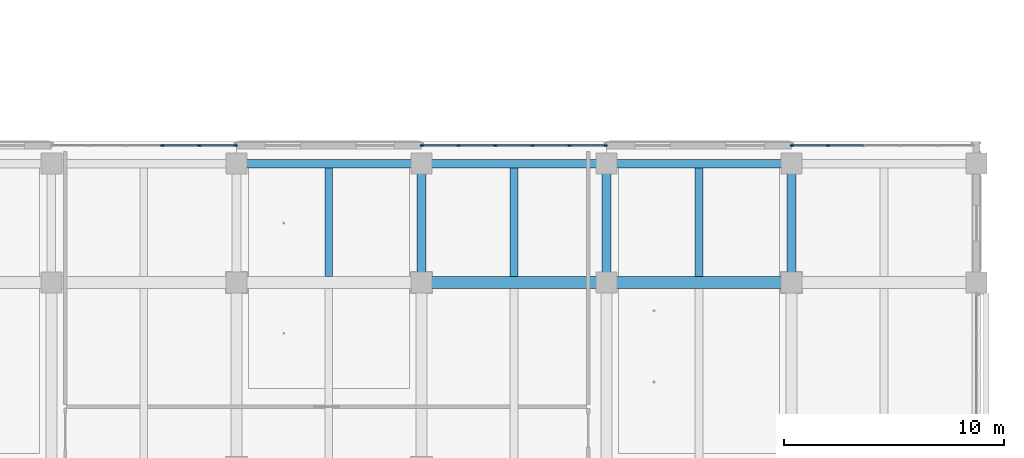
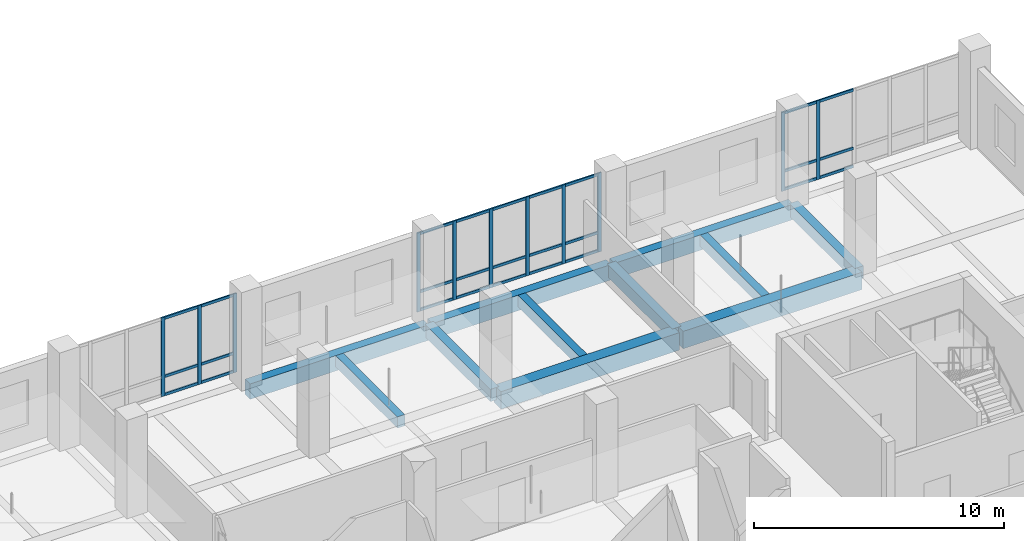
# One storey, part 26 of 128: 38 members, 11 beams, 3 elements without a shape of their own.
"""IFC4 building model written with IfcOpenShell, lengths in metres."""

from ifc_helpers import new_model, si_unit, direction, frame, origin, origin_2d, place, context, subcontext, project, spatial, rectangle, extrude, material, layer, layer_set, material_profile, profile_set, type_object, element, aggregate, save


model = new_model("IFC4")

# Units and contexts
model_context = context("Model", 3, precision=1e-05, world=origin(), true_north=direction((0.0, 1.0)))
body_context = subcontext(model_context, "Body", "Model", "MODEL_VIEW")
ifc_project = project(units=[si_unit("LENGTHUNIT", "METRE"), si_unit("AREAUNIT", "SQUARE_METRE"), si_unit("VOLUMEUNIT", "CUBIC_METRE"), si_unit("PLANEANGLEUNIT", "RADIAN"), si_unit("MASSUNIT", "GRAM", prefix="KILO")], contexts=[model_context])

# Site, building, storey
site_placement = place(None, origin())
site = spatial("IfcSite", under=ifc_project, at=site_placement, CompositionType="ELEMENT")
building_placement = place(site_placement, origin())
building = spatial("IfcBuilding", under=site, at=building_placement, Name="Telukmera Botanical Conservatory", CompositionType="ELEMENT")
storey_placement = place(building_placement, frame((0.0, 0.0, 5.39990234375)))
storey = spatial("IfcBuildingStorey", under=building, at=storey_placement, Name="L01", CompositionType="ELEMENT", Elevation=5.39990234375)

# Beams
ifc_material_1 = material(Name="Concrete C40/50", Category="concrete")
ifc_material_profile_1 = material_profile(ifc_material_1, rectangle(XDim=0.39990234375, YDim=0.60009765625, at=origin_2d()), Name="RC 400x600")
ifc_profile_set_1 = profile_set([ifc_material_profile_1], Name="Concrete C40/50")
beam_type_1 = type_object("IfcBeamType", Name="Beam_B18", PredefinedType="BEAM", material=ifc_profile_set_1)
for number, where, z_axis, x_axis, name in (
    (1, (84.0, 42.8798828125, -0.2998046875), (0.0, 1.0, 0.0), (-1.0, 0.0, 0.0), "Tower Transverse Beam L01"),
    (2, (92.39990234375, 42.8798828125, -0.2998046875), (0.0, 1.0, 0.0), (-1.0, 0.0, 0.0), "Tower Transverse Beam L01"),
    (3, (100.800048828125, 42.8798828125, -0.2998046875), (0.0, 1.0, 0.0), (-1.0, 0.0, 0.0), "Tower Transverse Beam L01"),
):
    element("IfcBeam", number, at=place(storey_placement, frame(where, z_axis=z_axis, x_axis=x_axis)), inside=storey, type_object=beam_type_1, Name=name, PredefinedType="BEAM", context=body_context, shape_type="SweptSolid", body=[
        extrude(rectangle(XDim=0.39990234375, YDim=0.60009765625, at=origin_2d()), origin(), (0.0, 0.0, 1.0), 5.240234375),
    ])
ifc_material_profile_2 = material_profile(ifc_material_1, rectangle(XDim=0.35009765625, YDim=0.550048828125, at=origin_2d()), Name="RC 350x550")
ifc_profile_set_2 = profile_set([ifc_material_profile_2], Name="Concrete C40/50")
beam_type_2 = type_object("IfcBeamType", Name="Beam_B21", PredefinedType="JOIST", material=ifc_profile_set_2)
for number, where, z_axis, x_axis, name in (
    (4, (79.800048828125, 43.074951171875, -0.27490234375), (0.0, 1.0, 0.0), (-1.0, 0.0, 0.0), "Tower Secondary Floor Joist L01"),
    (5, (88.199951171875, 43.074951171875, -0.27490234375), (0.0, 1.0, 0.0), (-1.0, 0.0, 0.0), "Tower Secondary Floor Joist L01"),
    (6, (96.60009765625, 43.074951171875, -0.27490234375), (0.0, 1.0, 0.0), (-1.0, 0.0, 0.0), "Tower Secondary Floor Joist L01"),
):
    element("IfcBeam", number, at=place(storey_placement, frame(where, z_axis=z_axis, x_axis=x_axis)), inside=storey, type_object=beam_type_2, Name=name, PredefinedType="JOIST", context=body_context, shape_type="SweptSolid", body=[
        extrude(rectangle(XDim=0.35009765625, YDim=0.550048828125, at=origin_2d()), origin(), (0.0, 0.0, 1.0), 4.925048828125),
    ])
ifc_material_profile_3 = material_profile(ifc_material_1, rectangle(XDim=0.550048828125, YDim=0.85009765625, at=origin_2d()), Name="RC 550x850")
ifc_profile_set_3 = profile_set([ifc_material_profile_3], Name="Concrete C40/50")
beam_type_3 = type_object("IfcBeamType", Name="Beam_B4", PredefinedType="BEAM", material=ifc_profile_set_3)
for number, where, z_axis, x_axis, name in (
    (7, (84.080078125, 42.800048828125, -0.4248046875), (1.0, 0.0, 0.0), (0.0, 1.0, 0.0), "Tower Grid Beam L01"),
    (8, (92.47998046875, 42.800048828125, -0.4248046875), (1.0, 0.0, 0.0), (0.0, 1.0, 0.0), "Tower Grid Beam L01"),
):
    element("IfcBeam", number, at=place(storey_placement, frame(where, z_axis=z_axis, x_axis=x_axis)), inside=storey, type_object=beam_type_3, Name=name, PredefinedType="BEAM", context=body_context, shape_type="SweptSolid", body=[
        extrude(rectangle(XDim=0.550048828125, YDim=0.85009765625, at=origin_2d()), origin(), (0.0, 0.0, 1.0), 8.239990234375),
    ])
ifc_material_2 = material(Name="Precast concrete C40/50", Category="concrete")
ifc_material_profile_4 = material_profile(ifc_material_2, rectangle(XDim=0.39990234375, YDim=0.75, at=origin_2d()), Name="PC 400x750")
ifc_profile_set_4 = profile_set([ifc_material_profile_4], Name="Precast concrete C40/50")
beam_type_4 = type_object("IfcBeamType", Name="Beam_SP1", PredefinedType="SPANDREL", material=ifc_profile_set_4)
for number, where, z_axis, x_axis, name in (
    (9, (75.679931640625, 48.199951171875, -0.375), (1.0, 0.0, 0.0), (0.0, 1.0, 0.0), "Tower Grid Beam L01"),
    (10, (84.080078125, 48.199951171875, -0.375), (1.0, 0.0, 0.0), (0.0, 1.0, 0.0), "Tower Grid Beam L01"),
    (11, (92.47998046875, 48.199951171875, -0.375), (1.0, 0.0, 0.0), (0.0, 1.0, 0.0), "Tower Grid Beam L01"),
):
    element("IfcBeam", number, at=place(storey_placement, frame(where, z_axis=z_axis, x_axis=x_axis)), inside=storey, type_object=beam_type_4, Name=name, PredefinedType="SPANDREL", context=body_context, shape_type="SweptSolid", body=[
        extrude(rectangle(XDim=0.39990234375, YDim=0.75, at=origin_2d()), origin(), (0.0, 0.0, 1.0), 8.239990234375),
    ])

# Curtain wall, members
ifc_material_3 = material(Name="Anodised aluminium 6063-T6", Category="aluminium")
ifc_layer = layer(ifc_material_3, 0.179931640625)
ifc_layer_set = layer_set([ifc_layer], Name="Anodised aluminium 6063-T6")
curtain_wall_type = type_object("IfcCurtainWallType", Name="Tower Reference Library Curtain Wall", PredefinedType="USERDEFINED", material=ifc_layer_set)
curtain_wall_1_placement = place(storey_placement, origin())
curtain_wall_1 = element("IfcCurtainWall", 12, at=curtain_wall_1_placement, inside=storey, type_object=curtain_wall_type, Name="Unitised Curtain Wall CW13 V4:L01:N3", ObjectType="UNITISED CURTAIN WALL", PredefinedType="USERDEFINED")
ifc_material_profile_5 = material_profile(ifc_material_3, rectangle(XDim=0.06494140625, YDim=0.159912109375, at=origin_2d()), Name="ALU MULL 65x160")
ifc_profile_set_5 = profile_set([ifc_material_profile_5], Name="Anodised aluminium 6063-T6")
member_type_1 = type_object("IfcMemberType", Name="Curtain Wall Extruded Mullion 65x160", PredefinedType="MULLION", material=ifc_profile_set_5)
member_1_placement = place(storey_placement, frame((72.239501953125, 49.02001953125, 0.0), z_axis=(0.0, 0.0, 1.0), x_axis=(0.0, 1.0, 0.0)))
member_1 = element("IfcMember", 13, at=member_1_placement, type_object=member_type_1, Name="CW13 mullion 4", PredefinedType="MULLION", context=body_context, shape_type="SweptSolid", body=[
    extrude(rectangle(XDim=0.06494140625, YDim=0.159912109375, at=origin_2d()), origin(), (0.0, 0.0, 1.0), 3.85009765625),
])
member_2_placement = place(storey_placement, frame((73.918701171875, 49.02001953125, 0.0), z_axis=(0.0, 0.0, 1.0), x_axis=(0.0, 1.0, 0.0)))
member_2 = element("IfcMember", 14, at=member_2_placement, type_object=member_type_1, Name="CW13 mullion 5", PredefinedType="MULLION", context=body_context, shape_type="SweptSolid", body=[
    extrude(rectangle(XDim=0.06494140625, YDim=0.159912109375, at=origin_2d()), origin(), (0.0, 0.0, 1.0), 3.85009765625),
])
member_3_placement = place(storey_placement, frame((75.5654296875, 49.02001953125, 0.0), z_axis=(0.0, 0.0, 1.0), x_axis=(0.0, 1.0, 0.0)))
member_3 = element("IfcMember", 15, at=member_3_placement, type_object=member_type_1, Name="CW13 mullion 6", PredefinedType="MULLION", context=body_context, shape_type="SweptSolid", body=[
    extrude(rectangle(XDim=0.06494140625, YDim=0.159912109375, at=origin_2d()), origin(), (0.0, 0.0, 1.0), 3.85009765625),
])

curtain_wall_2_placement = place(storey_placement, origin())
curtain_wall_2 = element("IfcCurtainWall", 16, at=curtain_wall_2_placement, inside=storey, type_object=curtain_wall_type, Name="Unitised Curtain Wall CW13 V4:L01:N5", ObjectType="UNITISED CURTAIN WALL", PredefinedType="USERDEFINED")
member_4_placement = place(storey_placement, frame((84.034423828125, 49.02001953125, 0.0), z_axis=(0.0, 0.0, 1.0), x_axis=(0.0, 1.0, 0.0)))
member_4 = element("IfcMember", 17, at=member_4_placement, type_object=member_type_1, Name="CW13 mullion 1", PredefinedType="MULLION", context=body_context, shape_type="SweptSolid", body=[
    extrude(rectangle(XDim=0.06494140625, YDim=0.159912109375, at=origin_2d()), origin(), (0.0, 0.0, 1.0), 3.85009765625),
])
member_5_placement = place(storey_placement, frame((85.68115234375, 49.02001953125, 0.0), z_axis=(0.0, 0.0, 1.0), x_axis=(0.0, 1.0, 0.0)))
member_5 = element("IfcMember", 18, at=member_5_placement, type_object=member_type_1, Name="CW13 mullion 2", PredefinedType="MULLION", context=body_context, shape_type="SweptSolid", body=[
    extrude(rectangle(XDim=0.06494140625, YDim=0.159912109375, at=origin_2d()), origin(), (0.0, 0.0, 1.0), 3.85009765625),
])
member_6_placement = place(storey_placement, frame((87.3603515625, 49.02001953125, 0.0), z_axis=(0.0, 0.0, 1.0), x_axis=(0.0, 1.0, 0.0)))
member_6 = element("IfcMember", 19, at=member_6_placement, type_object=member_type_1, Name="CW13 mullion 3", PredefinedType="MULLION", context=body_context, shape_type="SweptSolid", body=[
    extrude(rectangle(XDim=0.06494140625, YDim=0.159912109375, at=origin_2d()), origin(), (0.0, 0.0, 1.0), 3.85009765625),
])
member_7_placement = place(storey_placement, frame((89.03955078125, 49.02001953125, 0.0), z_axis=(0.0, 0.0, 1.0), x_axis=(0.0, 1.0, 0.0)))
member_7 = element("IfcMember", 20, at=member_7_placement, type_object=member_type_1, Name="CW13 mullion 4", PredefinedType="MULLION", context=body_context, shape_type="SweptSolid", body=[
    extrude(rectangle(XDim=0.06494140625, YDim=0.159912109375, at=origin_2d()), origin(), (0.0, 0.0, 1.0), 3.85009765625),
])
member_8_placement = place(storey_placement, frame((90.71875, 49.02001953125, 0.0), z_axis=(0.0, 0.0, 1.0), x_axis=(0.0, 1.0, 0.0)))
member_8 = element("IfcMember", 21, at=member_8_placement, type_object=member_type_1, Name="CW13 mullion 5", PredefinedType="MULLION", context=body_context, shape_type="SweptSolid", body=[
    extrude(rectangle(XDim=0.06494140625, YDim=0.159912109375, at=origin_2d()), origin(), (0.0, 0.0, 1.0), 3.85009765625),
])
member_9_placement = place(storey_placement, frame((92.365478515625, 49.02001953125, 0.0), z_axis=(0.0, 0.0, 1.0), x_axis=(0.0, 1.0, 0.0)))
member_9 = element("IfcMember", 22, at=member_9_placement, type_object=member_type_1, Name="CW13 mullion 6", PredefinedType="MULLION", context=body_context, shape_type="SweptSolid", body=[
    extrude(rectangle(XDim=0.06494140625, YDim=0.159912109375, at=origin_2d()), origin(), (0.0, 0.0, 1.0), 3.85009765625),
])

curtain_wall_3_placement = place(storey_placement, origin())
curtain_wall_3 = element("IfcCurtainWall", 23, at=curtain_wall_3_placement, inside=storey, type_object=curtain_wall_type, Name="Unitised Curtain Wall CW13 V4:L01:N7", ObjectType="UNITISED CURTAIN WALL", PredefinedType="USERDEFINED")
member_10_placement = place(storey_placement, frame((100.83447265625, 49.02001953125, 0.0), z_axis=(0.0, 0.0, 1.0), x_axis=(0.0, 1.0, 0.0)))
member_10 = element("IfcMember", 24, at=member_10_placement, type_object=member_type_1, Name="CW13 mullion 1", PredefinedType="MULLION", context=body_context, shape_type="SweptSolid", body=[
    extrude(rectangle(XDim=0.06494140625, YDim=0.159912109375, at=origin_2d()), origin(), (0.0, 0.0, 1.0), 3.85009765625),
])
member_11_placement = place(storey_placement, frame((102.451171875, 49.02001953125, 0.0), z_axis=(0.0, 0.0, 1.0), x_axis=(0.0, 1.0, 0.0)))
member_11 = element("IfcMember", 25, at=member_11_placement, type_object=member_type_1, Name="CW13 mullion 2", PredefinedType="MULLION", context=body_context, shape_type="SweptSolid", body=[
    extrude(rectangle(XDim=0.06494140625, YDim=0.159912109375, at=origin_2d()), origin(), (0.0, 0.0, 1.0), 3.85009765625),
])

# Member
ifc_material_profile_6 = material_profile(ifc_material_3, rectangle(XDim=0.06494140625, YDim=0.1298828125, at=origin_2d()), Name="ALU TRAN 65x130")
ifc_profile_set_6 = profile_set([ifc_material_profile_6], Name="Anodised aluminium 6063-T6")
member_type_2 = type_object("IfcMemberType", Name="Curtain Wall Extruded Transom 65x130", PredefinedType="USERDEFINED", material=ifc_profile_set_6)
member_12_placement = place(storey_placement, frame((72.272216796875, 49.02001953125, 0.065185546875), z_axis=(1.0, 0.0, 0.0), x_axis=(0.0, 1.0, 0.0)))
member_12 = element("IfcMember", 26, at=member_12_placement, type_object=member_type_2, Name="CW13 transom 4.1", ObjectType="TRANSOM", PredefinedType="USERDEFINED", context=body_context, shape_type="SweptSolid", body=[
    extrude(rectangle(XDim=0.06494140625, YDim=0.1298828125, at=origin_2d()), origin(), (0.0, 0.0, 1.0), 1.614013671875),
])

member_13_placement = place(storey_placement, frame((72.272216796875, 49.02001953125, 0.9501953125), z_axis=(1.0, 0.0, 0.0), x_axis=(0.0, 1.0, 0.0)))
member_13 = element("IfcMember", 27, at=member_13_placement, type_object=member_type_2, Name="CW13 transom 4.2", ObjectType="TRANSOM", PredefinedType="USERDEFINED", context=body_context, shape_type="SweptSolid", body=[
    extrude(rectangle(XDim=0.06494140625, YDim=0.1298828125, at=origin_2d()), origin(), (0.0, 0.0, 1.0), 1.614013671875),
])

member_14_placement = place(storey_placement, frame((72.272216796875, 49.02001953125, 3.78515625), z_axis=(1.0, 0.0, 0.0), x_axis=(0.0, 1.0, 0.0)))
member_14 = element("IfcMember", 28, at=member_14_placement, type_object=member_type_2, Name="CW13 transom 4.3", ObjectType="TRANSOM", PredefinedType="USERDEFINED", context=body_context, shape_type="SweptSolid", body=[
    extrude(rectangle(XDim=0.06494140625, YDim=0.1298828125, at=origin_2d()), origin(), (0.0, 0.0, 1.0), 1.614013671875),
])

member_15_placement = place(storey_placement, frame((73.951416015625, 49.02001953125, 0.065185546875), z_axis=(1.0, 0.0, 0.0), x_axis=(0.0, 1.0, 0.0)))
member_15 = element("IfcMember", 29, at=member_15_placement, type_object=member_type_2, Name="CW13 transom 5.1", ObjectType="TRANSOM", PredefinedType="USERDEFINED", context=body_context, shape_type="SweptSolid", body=[
    extrude(rectangle(XDim=0.06494140625, YDim=0.1298828125, at=origin_2d()), origin(), (0.0, 0.0, 1.0), 1.58154296875),
])

member_16_placement = place(storey_placement, frame((73.951416015625, 49.02001953125, 0.9501953125), z_axis=(1.0, 0.0, 0.0), x_axis=(0.0, 1.0, 0.0)))
member_16 = element("IfcMember", 30, at=member_16_placement, type_object=member_type_2, Name="CW13 transom 5.2", ObjectType="TRANSOM", PredefinedType="USERDEFINED", context=body_context, shape_type="SweptSolid", body=[
    extrude(rectangle(XDim=0.06494140625, YDim=0.1298828125, at=origin_2d()), origin(), (0.0, 0.0, 1.0), 1.58154296875),
])

member_17_placement = place(storey_placement, frame((73.951416015625, 49.02001953125, 3.78515625), z_axis=(1.0, 0.0, 0.0), x_axis=(0.0, 1.0, 0.0)))
member_17 = element("IfcMember", 31, at=member_17_placement, type_object=member_type_2, Name="CW13 transom 5.3", ObjectType="TRANSOM", PredefinedType="USERDEFINED", context=body_context, shape_type="SweptSolid", body=[
    extrude(rectangle(XDim=0.06494140625, YDim=0.1298828125, at=origin_2d()), origin(), (0.0, 0.0, 1.0), 1.58154296875),
])

aggregate(curtain_wall_1, [member_1, member_2, member_3, member_12, member_13, member_14, member_15, member_16, member_17])

member_18_placement = place(storey_placement, frame((84.06689453125, 49.02001953125, 0.065185546875), z_axis=(1.0, 0.0, 0.0), x_axis=(0.0, 1.0, 0.0)))
member_18 = element("IfcMember", 32, at=member_18_placement, type_object=member_type_2, Name="CW13 transom 1.1", ObjectType="TRANSOM", PredefinedType="USERDEFINED", context=body_context, shape_type="SweptSolid", body=[
    extrude(rectangle(XDim=0.06494140625, YDim=0.1298828125, at=origin_2d()), origin(), (0.0, 0.0, 1.0), 1.581787109375),
])

member_19_placement = place(storey_placement, frame((84.06689453125, 49.02001953125, 0.9501953125), z_axis=(1.0, 0.0, 0.0), x_axis=(0.0, 1.0, 0.0)))
member_19 = element("IfcMember", 33, at=member_19_placement, type_object=member_type_2, Name="CW13 transom 1.2", ObjectType="TRANSOM", PredefinedType="USERDEFINED", context=body_context, shape_type="SweptSolid", body=[
    extrude(rectangle(XDim=0.06494140625, YDim=0.1298828125, at=origin_2d()), origin(), (0.0, 0.0, 1.0), 1.581787109375),
])

member_20_placement = place(storey_placement, frame((84.06689453125, 49.02001953125, 3.78515625), z_axis=(1.0, 0.0, 0.0), x_axis=(0.0, 1.0, 0.0)))
member_20 = element("IfcMember", 34, at=member_20_placement, type_object=member_type_2, Name="CW13 transom 1.3", ObjectType="TRANSOM", PredefinedType="USERDEFINED", context=body_context, shape_type="SweptSolid", body=[
    extrude(rectangle(XDim=0.06494140625, YDim=0.1298828125, at=origin_2d()), origin(), (0.0, 0.0, 1.0), 1.581787109375),
])

member_21_placement = place(storey_placement, frame((85.713623046875, 49.02001953125, 0.065185546875), z_axis=(1.0, 0.0, 0.0), x_axis=(0.0, 1.0, 0.0)))
member_21 = element("IfcMember", 35, at=member_21_placement, type_object=member_type_2, Name="CW13 transom 2.1", ObjectType="TRANSOM", PredefinedType="USERDEFINED", context=body_context, shape_type="SweptSolid", body=[
    extrude(rectangle(XDim=0.06494140625, YDim=0.1298828125, at=origin_2d()), origin(), (0.0, 0.0, 1.0), 1.6142578125),
])

member_22_placement = place(storey_placement, frame((85.713623046875, 49.02001953125, 0.9501953125), z_axis=(1.0, 0.0, 0.0), x_axis=(0.0, 1.0, 0.0)))
member_22 = element("IfcMember", 36, at=member_22_placement, type_object=member_type_2, Name="CW13 transom 2.2", ObjectType="TRANSOM", PredefinedType="USERDEFINED", context=body_context, shape_type="SweptSolid", body=[
    extrude(rectangle(XDim=0.06494140625, YDim=0.1298828125, at=origin_2d()), origin(), (0.0, 0.0, 1.0), 1.6142578125),
])

member_23_placement = place(storey_placement, frame((85.713623046875, 49.02001953125, 3.78515625), z_axis=(1.0, 0.0, 0.0), x_axis=(0.0, 1.0, 0.0)))
member_23 = element("IfcMember", 37, at=member_23_placement, type_object=member_type_2, Name="CW13 transom 2.3", ObjectType="TRANSOM", PredefinedType="USERDEFINED", context=body_context, shape_type="SweptSolid", body=[
    extrude(rectangle(XDim=0.06494140625, YDim=0.1298828125, at=origin_2d()), origin(), (0.0, 0.0, 1.0), 1.6142578125),
])

member_24_placement = place(storey_placement, frame((87.392822265625, 49.02001953125, 0.065185546875), z_axis=(1.0, 0.0, 0.0), x_axis=(0.0, 1.0, 0.0)))
member_24 = element("IfcMember", 38, at=member_24_placement, type_object=member_type_2, Name="CW13 transom 3.1", ObjectType="TRANSOM", PredefinedType="USERDEFINED", context=body_context, shape_type="SweptSolid", body=[
    extrude(rectangle(XDim=0.06494140625, YDim=0.1298828125, at=origin_2d()), origin(), (0.0, 0.0, 1.0), 1.6142578125),
])

member_25_placement = place(storey_placement, frame((87.392822265625, 49.02001953125, 0.9501953125), z_axis=(1.0, 0.0, 0.0), x_axis=(0.0, 1.0, 0.0)))
member_25 = element("IfcMember", 39, at=member_25_placement, type_object=member_type_2, Name="CW13 transom 3.2", ObjectType="TRANSOM", PredefinedType="USERDEFINED", context=body_context, shape_type="SweptSolid", body=[
    extrude(rectangle(XDim=0.06494140625, YDim=0.1298828125, at=origin_2d()), origin(), (0.0, 0.0, 1.0), 1.6142578125),
])

member_26_placement = place(storey_placement, frame((87.392822265625, 49.02001953125, 3.78515625), z_axis=(1.0, 0.0, 0.0), x_axis=(0.0, 1.0, 0.0)))
member_26 = element("IfcMember", 40, at=member_26_placement, type_object=member_type_2, Name="CW13 transom 3.3", ObjectType="TRANSOM", PredefinedType="USERDEFINED", context=body_context, shape_type="SweptSolid", body=[
    extrude(rectangle(XDim=0.06494140625, YDim=0.1298828125, at=origin_2d()), origin(), (0.0, 0.0, 1.0), 1.6142578125),
])

member_27_placement = place(storey_placement, frame((89.072021484375, 49.02001953125, 0.065185546875), z_axis=(1.0, 0.0, 0.0), x_axis=(0.0, 1.0, 0.0)))
member_27 = element("IfcMember", 41, at=member_27_placement, type_object=member_type_2, Name="CW13 transom 4.1", ObjectType="TRANSOM", PredefinedType="USERDEFINED", context=body_context, shape_type="SweptSolid", body=[
    extrude(rectangle(XDim=0.06494140625, YDim=0.1298828125, at=origin_2d()), origin(), (0.0, 0.0, 1.0), 1.6142578125),
])

member_28_placement = place(storey_placement, frame((89.072021484375, 49.02001953125, 0.9501953125), z_axis=(1.0, 0.0, 0.0), x_axis=(0.0, 1.0, 0.0)))
member_28 = element("IfcMember", 42, at=member_28_placement, type_object=member_type_2, Name="CW13 transom 4.2", ObjectType="TRANSOM", PredefinedType="USERDEFINED", context=body_context, shape_type="SweptSolid", body=[
    extrude(rectangle(XDim=0.06494140625, YDim=0.1298828125, at=origin_2d()), origin(), (0.0, 0.0, 1.0), 1.6142578125),
])

member_29_placement = place(storey_placement, frame((89.072021484375, 49.02001953125, 3.78515625), z_axis=(1.0, 0.0, 0.0), x_axis=(0.0, 1.0, 0.0)))
member_29 = element("IfcMember", 43, at=member_29_placement, type_object=member_type_2, Name="CW13 transom 4.3", ObjectType="TRANSOM", PredefinedType="USERDEFINED", context=body_context, shape_type="SweptSolid", body=[
    extrude(rectangle(XDim=0.06494140625, YDim=0.1298828125, at=origin_2d()), origin(), (0.0, 0.0, 1.0), 1.6142578125),
])

member_30_placement = place(storey_placement, frame((90.751220703125, 49.02001953125, 0.065185546875), z_axis=(1.0, 0.0, 0.0), x_axis=(0.0, 1.0, 0.0)))
member_30 = element("IfcMember", 44, at=member_30_placement, type_object=member_type_2, Name="CW13 transom 5.1", ObjectType="TRANSOM", PredefinedType="USERDEFINED", context=body_context, shape_type="SweptSolid", body=[
    extrude(rectangle(XDim=0.06494140625, YDim=0.1298828125, at=origin_2d()), origin(), (0.0, 0.0, 1.0), 1.581787109375),
])

member_31_placement = place(storey_placement, frame((90.751220703125, 49.02001953125, 0.9501953125), z_axis=(1.0, 0.0, 0.0), x_axis=(0.0, 1.0, 0.0)))
member_31 = element("IfcMember", 45, at=member_31_placement, type_object=member_type_2, Name="CW13 transom 5.2", ObjectType="TRANSOM", PredefinedType="USERDEFINED", context=body_context, shape_type="SweptSolid", body=[
    extrude(rectangle(XDim=0.06494140625, YDim=0.1298828125, at=origin_2d()), origin(), (0.0, 0.0, 1.0), 1.581787109375),
])

member_32_placement = place(storey_placement, frame((90.751220703125, 49.02001953125, 3.78515625), z_axis=(1.0, 0.0, 0.0), x_axis=(0.0, 1.0, 0.0)))
member_32 = element("IfcMember", 46, at=member_32_placement, type_object=member_type_2, Name="CW13 transom 5.3", ObjectType="TRANSOM", PredefinedType="USERDEFINED", context=body_context, shape_type="SweptSolid", body=[
    extrude(rectangle(XDim=0.06494140625, YDim=0.1298828125, at=origin_2d()), origin(), (0.0, 0.0, 1.0), 1.581787109375),
])

aggregate(curtain_wall_2, [member_4, member_5, member_6, member_7, member_8, member_9, member_18, member_19, member_20, member_21, member_22, member_23, member_24, member_25, member_26, member_27, member_28, member_29, member_30, member_31, member_32])

member_33_placement = place(storey_placement, frame((100.866943359375, 49.02001953125, 0.065185546875), z_axis=(1.0, 0.0, 0.0), x_axis=(0.0, 1.0, 0.0)))
member_33 = element("IfcMember", 47, at=member_33_placement, type_object=member_type_2, Name="CW13 transom 1.1", ObjectType="TRANSOM", PredefinedType="USERDEFINED", context=body_context, shape_type="SweptSolid", body=[
    extrude(rectangle(XDim=0.06494140625, YDim=0.1298828125, at=origin_2d()), origin(), (0.0, 0.0, 1.0), 1.5517578125),
])

member_34_placement = place(storey_placement, frame((100.866943359375, 49.02001953125, 0.9501953125), z_axis=(1.0, 0.0, 0.0), x_axis=(0.0, 1.0, 0.0)))
member_34 = element("IfcMember", 48, at=member_34_placement, type_object=member_type_2, Name="CW13 transom 1.2", ObjectType="TRANSOM", PredefinedType="USERDEFINED", context=body_context, shape_type="SweptSolid", body=[
    extrude(rectangle(XDim=0.06494140625, YDim=0.1298828125, at=origin_2d()), origin(), (0.0, 0.0, 1.0), 1.5517578125),
])

member_35_placement = place(storey_placement, frame((100.866943359375, 49.02001953125, 3.78515625), z_axis=(1.0, 0.0, 0.0), x_axis=(0.0, 1.0, 0.0)))
member_35 = element("IfcMember", 49, at=member_35_placement, type_object=member_type_2, Name="CW13 transom 1.3", ObjectType="TRANSOM", PredefinedType="USERDEFINED", context=body_context, shape_type="SweptSolid", body=[
    extrude(rectangle(XDim=0.06494140625, YDim=0.1298828125, at=origin_2d()), origin(), (0.0, 0.0, 1.0), 1.5517578125),
])

member_36_placement = place(storey_placement, frame((102.483642578125, 49.02001953125, 0.065185546875), z_axis=(1.0, 0.0, 0.0), x_axis=(0.0, 1.0, 0.0)))
member_36 = element("IfcMember", 50, at=member_36_placement, type_object=member_type_2, Name="CW13 transom 2.1", ObjectType="TRANSOM", PredefinedType="USERDEFINED", context=body_context, shape_type="SweptSolid", body=[
    extrude(rectangle(XDim=0.06494140625, YDim=0.1298828125, at=origin_2d()), origin(), (0.0, 0.0, 1.0), 1.584228515625),
])

member_37_placement = place(storey_placement, frame((102.483642578125, 49.02001953125, 0.9501953125), z_axis=(1.0, 0.0, 0.0), x_axis=(0.0, 1.0, 0.0)))
member_37 = element("IfcMember", 51, at=member_37_placement, type_object=member_type_2, Name="CW13 transom 2.2", ObjectType="TRANSOM", PredefinedType="USERDEFINED", context=body_context, shape_type="SweptSolid", body=[
    extrude(rectangle(XDim=0.06494140625, YDim=0.1298828125, at=origin_2d()), origin(), (0.0, 0.0, 1.0), 1.584228515625),
])

member_38_placement = place(storey_placement, frame((102.483642578125, 49.02001953125, 3.78515625), z_axis=(1.0, 0.0, 0.0), x_axis=(0.0, 1.0, 0.0)))
member_38 = element("IfcMember", 52, at=member_38_placement, type_object=member_type_2, Name="CW13 transom 2.3", ObjectType="TRANSOM", PredefinedType="USERDEFINED", context=body_context, shape_type="SweptSolid", body=[
    extrude(rectangle(XDim=0.06494140625, YDim=0.1298828125, at=origin_2d()), origin(), (0.0, 0.0, 1.0), 1.584228515625),
])

aggregate(curtain_wall_3, [member_10, member_11, member_33, member_34, member_35, member_36, member_37, member_38])

save(model, "model.ifc")
